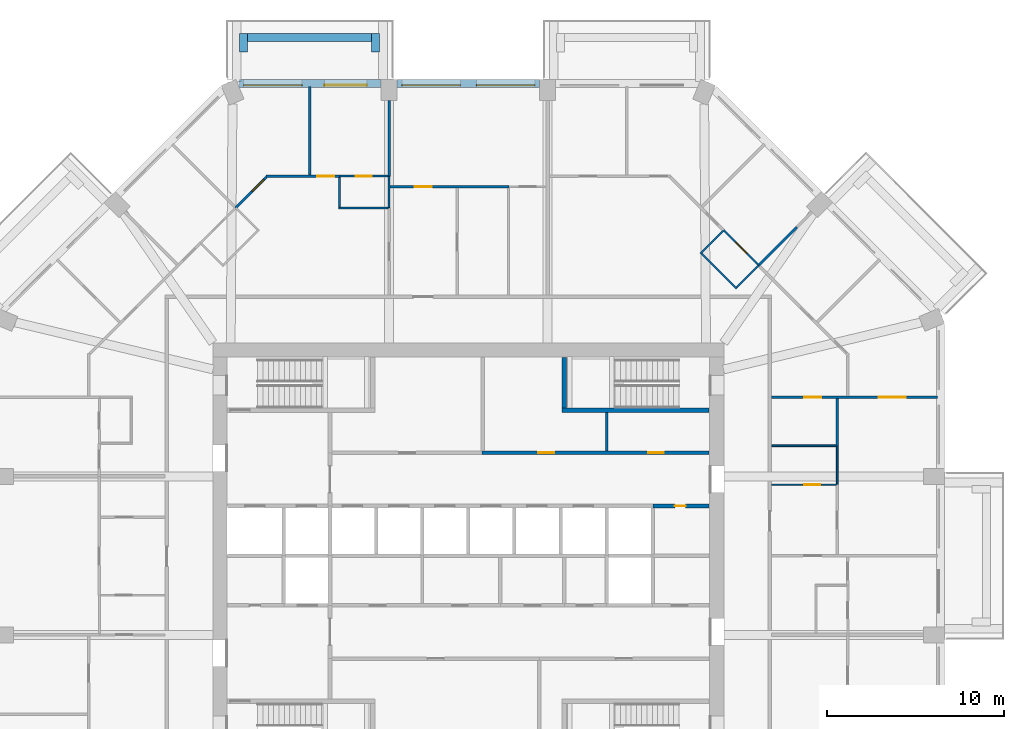
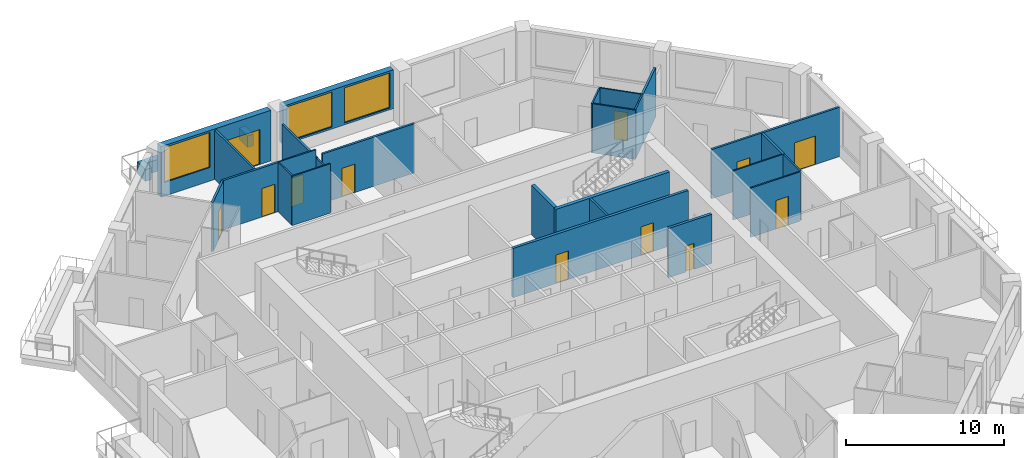
# One storey, part 9 of 13: 29 walls, 12 doors, 3 windows, 15 openings.
"""IFC4 building model written with IfcOpenShell, lengths in metres."""

from ifc_helpers import new_model, si_unit, direction, frame, frame_2d, origin, place, context, subcontext, project, spatial, rectangle, extrude, material, layer, layer_set, type_object, element, fill, save


model = new_model("IFC4")

# Units and contexts
model_context = context("Model", 3, precision=1e-05, world=origin(), true_north=direction((0.0, 1.0)))
body_context = subcontext(model_context, "Body", "Model", "MODEL_VIEW")
ifc_project = project(units=[si_unit("LENGTHUNIT", "METRE"), si_unit("AREAUNIT", "SQUARE_METRE"), si_unit("VOLUMEUNIT", "CUBIC_METRE"), si_unit("PLANEANGLEUNIT", "RADIAN"), si_unit("MASSUNIT", "GRAM", prefix="KILO")], contexts=[model_context])

# Site, building, storey
site_placement = place(None, origin())
site = spatial("IfcSite", under=ifc_project, at=site_placement, CompositionType="ELEMENT")
building_placement = place(site_placement, origin())
building = spatial("IfcBuilding", under=site, at=building_placement, Name="Msitu Wima Residences", CompositionType="ELEMENT")
storey_placement = place(building_placement, frame((0.0, 0.0, 144.300048828125)))
storey = spatial("IfcBuildingStorey", under=building, at=storey_placement, Name="L33", CompositionType="ELEMENT", Elevation=144.300048828125)

# Walls
ifc_material_1 = material(Name="Facing brick")
ifc_layer_1 = layer(ifc_material_1, 0.06494140625, Name="Facing brick")
ifc_material_2 = material(Name="Concrete C40/50", Category="concrete")
ifc_layer_2 = layer(ifc_material_2, 0.156005859375, Name="Concrete C40/50")
ifc_material_3 = material(Name="Waterproofing membrane")
ifc_layer_3 = layer(ifc_material_3, 0.00390625, Name="Waterproofing membrane")
ifc_material_4 = material(Name="Planting soil and planting")
ifc_layer_4 = layer(ifc_material_4, 0.22509765625, Name="Planting soil and planting")
ifc_layer_set_1 = layer_set([ifc_layer_1, ifc_layer_2, ifc_layer_3, ifc_layer_4], Name="Concrete C40/50")
wall_type_1 = type_object("IfcWallType", Name="Balcony planter PLANTER PL450", PredefinedType="USERDEFINED", material=ifc_layer_set_1)
wall_1_placement = place(storey_placement, frame((-5.468505859375, 29.22509765625, 0.0), z_axis=(0.0, 0.0, 1.0), x_axis=(-1.0, 0.0, 0.0)))
element("IfcWall", 1, at=wall_1_placement, inside=storey, type_object=wall_type_1, Name="Balcony planter N2 L33", ObjectType="PLANTER", PredefinedType="USERDEFINED", context=body_context, shape_type="SweptSolid", body=[
    extrude(rectangle(XDim=6.9873046875, YDim=0.449951171875, at=frame_2d((3.49365234375, 0.0))), origin(), (0.0, 0.0, 1.0), 0.89990234375),
])
for number, where, z_axis, x_axis, name in (
    (2, (-5.24365234375, 28.39990234375, 0.0), (0.0, 0.0, 1.0), (0.0, 1.0, 0.0), "Balcony planter N2 L33"),
    (3, (-12.680908203125, 28.39990234375, 0.0), (0.0, 0.0, 1.0), (0.0, 1.0, 0.0), "Balcony planter N2 L33"),
):
    element("IfcWall", number, at=place(storey_placement, frame(where, z_axis=z_axis, x_axis=x_axis)), inside=storey, type_object=wall_type_1, Name=name, ObjectType="PLANTER", PredefinedType="USERDEFINED", context=body_context, shape_type="SweptSolid", body=[
        extrude(rectangle(XDim=1.050048828125, YDim=0.449951171875, at=frame_2d((0.52490234375, 0.0))), origin(), (0.0, 0.0, 1.0), 0.89990234375),
    ])

# Wall, openings, windows
ifc_material_5 = material(Name="Brick (red buff mix)", Category="masonry")
ifc_layer_5 = layer(ifc_material_5, 0.449951171875)
ifc_layer_set_2 = layer_set([ifc_layer_5], Name="Brick (red buff mix)")
wall_type_2 = type_object("IfcWallType", Name="Brick infill wall BW450", PredefinedType="SOLIDWALL", material=ifc_layer_set_2)
wall_2_placement = place(storey_placement, frame((4.0185546875, 26.625, 0.89990234375), z_axis=(0.0, 0.0, 1.0), x_axis=(-1.0, 0.0, 0.0)))
wall_2 = element("IfcWall", 4, at=wall_2_placement, inside=storey, type_object=wall_type_2, Name="Brick infill wall L33 N1", PredefinedType="SOLIDWALL", context=body_context, shape_type="SweptSolid", body=[
    extrude(rectangle(XDim=8.037109375, YDim=0.449951171875, at=frame_2d((4.0185546875, 0.0))), origin(), (0.0, 0.0, 1.0), 3.0),
])
opening_1_placement = place(wall_2_placement, frame((0.2685546875, 0.0, 0.14990234375)))
opening_1 = element("IfcOpeningElement", 5, at=opening_1_placement, cuts=wall_2, Name="Opening W33.007", PredefinedType="OPENING", context=body_context, shape_type="SweptSolid", body=[
    extrude(rectangle(XDim=3.300048828125, YDim=2.699951171875, at=frame_2d((1.64990234375, 1.35009765625))), frame((0.0, 0.23486328125, 0.0), z_axis=(0.0, -1.0, 0.0), x_axis=(1.0, 0.0, 0.0)), (0.0, 0.0, 1.0), 0.469970703125),
])
opening_2_placement = place(wall_2_placement, frame((4.46875, 0.0, 0.14990234375)))
opening_2 = element("IfcOpeningElement", 6, at=opening_2_placement, cuts=wall_2, Name="Opening W33.008", PredefinedType="OPENING", context=body_context, shape_type="SweptSolid", body=[
    extrude(rectangle(XDim=3.300048828125, YDim=2.699951171875, at=frame_2d((1.64990234375, 1.35009765625))), frame((0.0, 0.23486328125, 0.0), z_axis=(0.0, -1.0, 0.0), x_axis=(1.0, 0.0, 0.0)), (0.0, 0.0, 1.0), 0.469970703125),
])
ifc_material_6 = material(Name="Anodised aluminium, bronze finish, clear low-emissivity double glazing", Category="aluminium")
window_type = type_object("IfcWindowType", Name="Window W3300x2700", PartitioningType="DOUBLE_PANEL_VERTICAL", PredefinedType="WINDOW", material=ifc_material_6)
window_1_placement = place(opening_1_placement, origin())
window_1 = element("IfcWindow", 7, at=window_1_placement, inside=storey, type_object=window_type, Name="Window L33 N1.1", OverallHeight=2.699951171875, OverallWidth=3.300048828125, PartitioningType="SINGLE_PANEL", PredefinedType="WINDOW", context=body_context, shape_type="SweptSolid", body=[
    extrude(rectangle(XDim=3.300048828125, YDim=2.699951171875, at=frame_2d((1.64990234375, 1.35009765625))), frame((0.0, 0.135009765625, 0.0), z_axis=(0.0, -1.0, 0.0), x_axis=(1.0, 0.0, 0.0)), (0.0, 0.0, 1.0), 0.06005859375),
])
fill(opening_1, window_1)
window_2_placement = place(opening_2_placement, origin())
window_2 = element("IfcWindow", 8, at=window_2_placement, inside=storey, type_object=window_type, Name="Window L33 N1.2", OverallHeight=2.699951171875, OverallWidth=3.300048828125, PartitioningType="SINGLE_PANEL", PredefinedType="WINDOW", context=body_context, shape_type="SweptSolid", body=[
    extrude(rectangle(XDim=3.300048828125, YDim=2.699951171875, at=frame_2d((1.64990234375, 1.35009765625))), frame((0.0, 0.135009765625, 0.0), z_axis=(0.0, -1.0, 0.0), x_axis=(1.0, 0.0, 0.0)), (0.0, 0.0, 1.0), 0.06005859375),
])
fill(opening_2, window_2)

# Wall, openings, door, window
wall_3_placement = place(storey_placement, frame((-4.918701171875, 26.625, 0.0), z_axis=(0.0, 0.0, 1.0), x_axis=(-1.0, 0.0, 0.0)))
wall_3 = element("IfcWall", 9, at=wall_3_placement, inside=storey, type_object=wall_type_2, Name="Brick infill wall L33 N2", PredefinedType="SOLIDWALL", context=body_context, shape_type="SweptSolid", body=[
    extrude(rectangle(XDim=8.0, YDim=0.449951171875, at=frame_2d((4.0, 0.0))), origin(), (0.0, 0.0, 1.0), 3.89990234375),
])
opening_3_placement = place(wall_3_placement, frame((0.800048828125, 0.0, 0.0)))
opening_3 = element("IfcOpeningElement", 10, at=opening_3_placement, cuts=wall_3, Name="Opening D33.003", PredefinedType="OPENING", context=body_context, shape_type="SweptSolid", body=[
    extrude(rectangle(XDim=2.39990234375, YDim=2.699951171875, at=frame_2d((1.199951171875, 1.35009765625))), frame((0.0, 0.23486328125, 0.0), z_axis=(0.0, -1.0, 0.0), x_axis=(1.0, 0.0, 0.0)), (0.0, 0.0, 1.0), 0.469970703125),
])
opening_4_placement = place(wall_3_placement, frame((4.4501953125, 0.0, 1.050048828125)))
opening_4 = element("IfcOpeningElement", 11, at=opening_4_placement, cuts=wall_3, Name="Opening W33.009", PredefinedType="OPENING", context=body_context, shape_type="SweptSolid", body=[
    extrude(rectangle(XDim=3.300048828125, YDim=2.699951171875, at=frame_2d((1.64990234375, 1.35009765625))), frame((0.0, 0.23486328125, 0.0), z_axis=(0.0, -1.0, 0.0), x_axis=(1.0, 0.0, 0.0)), (0.0, 0.0, 1.0), 0.469970703125),
])
door_type_1 = type_object("IfcDoorType", Name="Balcony door D2400x2700", OperationType="SLIDING_TO_LEFT", PredefinedType="DOOR", material=ifc_material_6)
door_1_placement = place(opening_3_placement, origin())
door_1 = element("IfcDoor", 12, at=door_1_placement, inside=storey, type_object=door_type_1, Name="Balcony door L33 N2", OperationType="SINGLE_SWING_LEFT", OverallHeight=2.699951171875, OverallWidth=2.39990234375, PredefinedType="DOOR", context=body_context, shape_type="SweptSolid", body=[
    extrude(rectangle(XDim=2.39990234375, YDim=2.699951171875, at=frame_2d((1.199951171875, 1.35009765625))), frame((0.0, 0.1298828125, 0.0), z_axis=(0.0, -1.0, 0.0), x_axis=(1.0, 0.0, 0.0)), (0.0, 0.0, 1.0), 0.050048828125),
])
fill(opening_3, door_1)
window_3_placement = place(opening_4_placement, origin())
window_3 = element("IfcWindow", 13, at=window_3_placement, inside=storey, type_object=window_type, Name="Window L33 N2.2", OverallHeight=2.699951171875, OverallWidth=3.300048828125, PartitioningType="SINGLE_PANEL", PredefinedType="WINDOW", context=body_context, shape_type="SweptSolid", body=[
    extrude(rectangle(XDim=3.300048828125, YDim=2.699951171875, at=frame_2d((1.64990234375, 1.35009765625))), frame((0.0, 0.135009765625, 0.0), z_axis=(0.0, -1.0, 0.0), x_axis=(1.0, 0.0, 0.0)), (0.0, 0.0, 1.0), 0.06005859375),
])
fill(opening_4, window_3)

# Wall, openings, doors
ifc_material_7 = material(Name="Plaster")
ifc_layer_6 = layer(ifc_material_7, 0.011962890625, Name="Plaster")
ifc_material_8 = material(Name="Concrete blockwork", Category="masonry")
ifc_layer_7 = layer(ifc_material_8, 0.176025390625, Name="Concrete blockwork")
ifc_layer_8 = layer(ifc_material_7, 0.011962890625, Name="Plaster")
ifc_layer_set_3 = layer_set([ifc_layer_6, ifc_layer_7, ifc_layer_8], Name="Concrete blockwork")
wall_type_3 = type_object("IfcWallType", Name="Corridor wall FW200", PredefinedType="PARTITIONING", material=ifc_layer_set_3)
wall_4_placement = place(storey_placement, frame((0.780029296875, 5.800048828125, 0.0), z_axis=(0.0, 0.0, 1.0), x_axis=(1.0, 0.0, 0.0)))
wall_4 = element("IfcWall", 14, at=wall_4_placement, inside=storey, type_object=wall_type_3, Name="Corridor wall", PredefinedType="PARTITIONING", context=body_context, shape_type="SweptSolid", body=[
    extrude(rectangle(XDim=12.7900390625, YDim=0.199951171875, at=frame_2d((6.39501953125, 0.0))), origin(), (0.0, 0.0, 1.0), 3.7978515625),
])
opening_5_placement = place(wall_4_placement, frame((3.14990234375, 0.0, 0.0)))
opening_5 = element("IfcOpeningElement", 15, at=opening_5_placement, cuts=wall_4, Name="Opening D33.021", PredefinedType="OPENING", context=body_context, shape_type="SweptSolid", body=[
    extrude(rectangle(XDim=0.89990234375, YDim=2.199951171875, at=frame_2d((0.449951171875, 1.10009765625))), frame((0.0, 0.10986328125, 0.0), z_axis=(0.0, -1.0, 0.0), x_axis=(1.0, 0.0, 0.0)), (0.0, 0.0, 1.0), 0.219970703125),
])
opening_6_placement = place(wall_4_placement, frame((9.35009765625, 0.0, 0.0)))
opening_6 = element("IfcOpeningElement", 16, at=opening_6_placement, cuts=wall_4, Name="Opening D33.022", PredefinedType="OPENING", context=body_context, shape_type="SweptSolid", body=[
    extrude(rectangle(XDim=0.89990234375, YDim=2.199951171875, at=frame_2d((0.449951171875, 1.10009765625))), frame((0.0, 0.10986328125, 0.0), z_axis=(0.0, -1.0, 0.0), x_axis=(1.0, 0.0, 0.0)), (0.0, 0.0, 1.0), 0.219970703125),
])
ifc_material_9 = material(Name="Timber flush door", Category="wood")
door_type_2 = type_object("IfcDoorType", Name="Service door D05 900x2200", OperationType="SINGLE_SWING_LEFT", PredefinedType="DOOR", material=ifc_material_9)
door_2_placement = place(opening_5_placement, origin())
door_2 = element("IfcDoor", 17, at=door_2_placement, inside=storey, type_object=door_type_2, Name="Service door", OperationType="SINGLE_SWING_RIGHT", OverallHeight=2.199951171875, OverallWidth=0.89990234375, PredefinedType="DOOR", context=body_context, shape_type="SweptSolid", body=[
    extrude(rectangle(XDim=0.89990234375, YDim=2.199951171875, at=frame_2d((0.449951171875, 1.10009765625))), frame((0.0, 0.02490234375, 0.0), z_axis=(0.0, -1.0, 0.0), x_axis=(1.0, 0.0, 0.0)), (0.0, 0.0, 1.0), 0.050048828125),
])
fill(opening_5, door_2)
door_3_placement = place(opening_6_placement, origin())
door_3 = element("IfcDoor", 18, at=door_3_placement, inside=storey, type_object=door_type_2, Name="Service door", OperationType="SINGLE_SWING_LEFT", OverallHeight=2.199951171875, OverallWidth=0.89990234375, PredefinedType="DOOR", context=body_context, shape_type="SweptSolid", body=[
    extrude(rectangle(XDim=0.89990234375, YDim=2.199951171875, at=frame_2d((0.449951171875, 1.10009765625))), frame((0.0, 0.02490234375, 0.0), z_axis=(0.0, -1.0, 0.0), x_axis=(1.0, 0.0, 0.0)), (0.0, 0.0, 1.0), 0.050048828125),
])
fill(opening_6, door_3)

# Wall, opening, door
ifc_layer_9 = layer(ifc_material_7, 0.011962890625, Name="Plaster")
ifc_layer_10 = layer(ifc_material_8, 0.1259765625, Name="Concrete blockwork")
ifc_layer_11 = layer(ifc_material_7, 0.011962890625, Name="Plaster")
ifc_layer_set_4 = layer_set([ifc_layer_9, ifc_layer_10, ifc_layer_11], Name="Concrete blockwork")
wall_type_4 = type_object("IfcWallType", Name="Partition PW150", PredefinedType="PARTITIONING", material=ifc_layer_set_4)
wall_5_placement = place(storey_placement, frame((-13.118896484375, 19.615966796875, 0.0), z_axis=(0.0, 0.0, 1.0), x_axis=(0.707106781187, 0.707106781187, 0.0)))
wall_5 = element("IfcWall", 19, at=wall_5_placement, inside=storey, type_object=wall_type_4, Name="Partition", PredefinedType="PARTITIONING", context=body_context, shape_type="SweptSolid", body=[
    extrude(rectangle(XDim=2.447998046875, YDim=0.14990234375, at=frame_2d((1.22412109375, 0.0))), origin(), (0.0, 0.0, 1.0), 3.7978515625),
])
opening_7_placement = place(wall_5_placement, frame((1.300048828125, 0.0, 0.0)))
opening_7 = element("IfcOpeningElement", 20, at=opening_7_placement, cuts=wall_5, Name="Opening D33.056", PredefinedType="OPENING", context=body_context, shape_type="SweptSolid", body=[
    extrude(rectangle(XDim=0.949951171875, YDim=2.199951171875, at=frame_2d((0.47509765625, 1.10009765625))), frame((0.0, 0.0849609375, 0.0), z_axis=(0.0, -1.0, 0.0), x_axis=(1.0, 0.0, 0.0)), (0.0, 0.0, 1.0), 0.169921875),
])
door_type_3 = type_object("IfcDoorType", Name="Room door D12 950x2200", OperationType="SINGLE_SWING_LEFT", PredefinedType="DOOR", material=ifc_material_9)
door_4_placement = place(opening_7_placement, origin())
door_4 = element("IfcDoor", 21, at=door_4_placement, inside=storey, type_object=door_type_3, Name="Room door", OperationType="SINGLE_SWING_LEFT", OverallHeight=2.199951171875, OverallWidth=0.949951171875, PredefinedType="DOOR", context=body_context, shape_type="SweptSolid", body=[
    extrude(rectangle(XDim=0.949951171875, YDim=2.199951171875, at=frame_2d((0.47509765625, 1.10009765625))), frame((0.0, 0.02490234375, 0.0), z_axis=(0.0, -1.0, 0.0), x_axis=(1.0, 0.0, 0.0)), (0.0, 0.0, 1.0), 0.050048828125),
])
fill(opening_7, door_4)

wall_6_placement = place(storey_placement, frame((-11.409912109375, 21.39990234375, 0.0), z_axis=(0.0, 0.0, 1.0), x_axis=(1.0, 0.0, 0.0)))
wall_6 = element("IfcWall", 22, at=wall_6_placement, inside=storey, type_object=wall_type_4, Name="Partition", PredefinedType="PARTITIONING", context=body_context, shape_type="SweptSolid", body=[
    extrude(rectangle(XDim=4.161376953125, YDim=0.14990234375, at=frame_2d((2.08056640625, 0.0))), origin(), (0.0, 0.0, 1.0), 3.7978515625),
])
opening_8_placement = place(wall_6_placement, frame((2.89990234375, 0.0, 0.0)))
opening_8 = element("IfcOpeningElement", 23, at=opening_8_placement, cuts=wall_6, Name="Opening D33.049", PredefinedType="OPENING", context=body_context, shape_type="SweptSolid", body=[
    extrude(rectangle(XDim=0.949951171875, YDim=2.199951171875, at=frame_2d((0.47509765625, 1.10009765625))), frame((0.0, 0.0849609375, 0.0), z_axis=(0.0, -1.0, 0.0), x_axis=(1.0, 0.0, 0.0)), (0.0, 0.0, 1.0), 0.169921875),
])
door_5_placement = place(opening_8_placement, origin())
door_5 = element("IfcDoor", 24, at=door_5_placement, inside=storey, type_object=door_type_3, Name="Room door", OperationType="SINGLE_SWING_LEFT", OverallHeight=2.199951171875, OverallWidth=0.949951171875, PredefinedType="DOOR", context=body_context, shape_type="SweptSolid", body=[
    extrude(rectangle(XDim=0.949951171875, YDim=2.199951171875, at=frame_2d((0.47509765625, 1.10009765625))), frame((0.0, 0.02490234375, 0.0), z_axis=(0.0, -1.0, 0.0), x_axis=(1.0, 0.0, 0.0)), (0.0, 0.0, 1.0), 0.050048828125),
])
fill(opening_8, door_5)

# Wall
wall_7_placement = place(storey_placement, frame((-8.937255859375, 21.47509765625, 0.0), z_axis=(0.0, 0.0, 1.0), x_axis=(0.0, 1.0, 0.0)))
element("IfcWall", 25, at=wall_7_placement, inside=storey, type_object=wall_type_4, Name="Partition", PredefinedType="PARTITIONING", context=body_context, shape_type="SweptSolid", body=[
    extrude(rectangle(XDim=4.97998046875, YDim=0.14990234375, at=frame_2d((2.489990234375, 0.0))), origin(), (0.0, 0.0, 1.0), 3.7978515625),
])

# Wall, opening, door
wall_8_placement = place(storey_placement, frame((-4.418701171875, 20.800048828125, 0.0), z_axis=(0.0, 0.0, 1.0), x_axis=(1.0, 0.0, 0.0)))
wall_8 = element("IfcWall", 26, at=wall_8_placement, inside=storey, type_object=wall_type_4, Name="Partition", PredefinedType="PARTITIONING", context=body_context, shape_type="SweptSolid", body=[
    extrude(rectangle(XDim=6.707275390625, YDim=0.14990234375, at=frame_2d((3.353515625, 0.0))), origin(), (0.0, 0.0, 1.0), 3.7978515625),
])
opening_9_placement = place(wall_8_placement, frame((1.39990234375, 0.0, 0.0)))
opening_9 = element("IfcOpeningElement", 27, at=opening_9_placement, cuts=wall_8, Name="Opening D33.046", PredefinedType="OPENING", context=body_context, shape_type="SweptSolid", body=[
    extrude(rectangle(XDim=0.949951171875, YDim=2.199951171875, at=frame_2d((0.47509765625, 1.10009765625))), frame((0.0, 0.0849609375, 0.0), z_axis=(0.0, -1.0, 0.0), x_axis=(1.0, 0.0, 0.0)), (0.0, 0.0, 1.0), 0.169921875),
])
door_6_placement = place(opening_9_placement, origin())
door_6 = element("IfcDoor", 28, at=door_6_placement, inside=storey, type_object=door_type_3, Name="Room door", OperationType="SINGLE_SWING_LEFT", OverallHeight=2.199951171875, OverallWidth=0.949951171875, PredefinedType="DOOR", context=body_context, shape_type="SweptSolid", body=[
    extrude(rectangle(XDim=0.949951171875, YDim=2.199951171875, at=frame_2d((0.47509765625, 1.10009765625))), frame((0.0, 0.02490234375, 0.0), z_axis=(0.0, -1.0, 0.0), x_axis=(1.0, 0.0, 0.0)), (0.0, 0.0, 1.0), 0.050048828125),
])
fill(opening_9, door_6)

# Walls
wall_9_placement = place(storey_placement, frame((-4.46875, 21.3798828125, 0.0), z_axis=(0.0, 0.0, 1.0), x_axis=(0.0, 1.0, 0.0)))
element("IfcWall", 29, at=wall_9_placement, inside=storey, type_object=wall_type_4, Name="Partition", PredefinedType="PARTITIONING", context=body_context, shape_type="SweptSolid", body=[
    extrude(rectangle(XDim=4.27001953125, YDim=0.14990234375, at=frame_2d((2.135009765625, 0.0))), origin(), (0.0, 0.0, 1.0), 3.14990234375),
])
wall_10_placement = place(storey_placement, frame((7.800048828125, 5.89990234375, 0.0), z_axis=(0.0, 0.0, 1.0), x_axis=(0.0, 1.0, 0.0)))
element("IfcWall", 30, at=wall_10_placement, inside=storey, type_object=wall_type_4, Name="Partition", PredefinedType="PARTITIONING", context=body_context, shape_type="SweptSolid", body=[
    extrude(rectangle(XDim=2.175048828125, YDim=0.14990234375, at=frame_2d((1.08740234375, 0.0))), origin(), (0.0, 0.0, 1.0), 3.7978515625),
])
wall_11_placement = place(storey_placement, frame((16.353271484375, 16.353271484375, 0.0), z_axis=(0.0, 0.0, 1.0), x_axis=(0.707106781187, 0.707106781187, 0.0)))
element("IfcWall", 31, at=wall_11_placement, inside=storey, type_object=wall_type_4, Name="Partition", PredefinedType="PARTITIONING", context=body_context, shape_type="SweptSolid", body=[
    extrude(rectangle(XDim=3.060791015625, YDim=0.14990234375, at=frame_2d((1.5302734375, 0.0))), origin(), (0.0, 0.0, 1.0), 3.7978515625),
])

# Wall, openings, doors
wall_12_placement = place(storey_placement, frame((17.10009765625, 8.937255859375, 0.0), z_axis=(0.0, 0.0, 1.0), x_axis=(1.0, 0.0, 0.0)))
wall_12 = element("IfcWall", 32, at=wall_12_placement, inside=storey, type_object=wall_type_4, Name="Partition", PredefinedType="PARTITIONING", context=body_context, shape_type="SweptSolid", body=[
    extrude(rectangle(XDim=9.35498046875, YDim=0.14990234375, at=frame_2d((4.677490234375, 0.0))), origin(), (0.0, 0.0, 1.0), 3.7978515625),
])
opening_10_placement = place(wall_12_placement, frame((6.050048828125, 0.0, 0.0)))
opening_10 = element("IfcOpeningElement", 33, at=opening_10_placement, cuts=wall_12, Name="Opening D33.086", PredefinedType="OPENING", context=body_context, shape_type="SweptSolid", body=[
    extrude(rectangle(XDim=1.5, YDim=2.199951171875, at=frame_2d((0.75, 1.10009765625))), frame((0.0, 0.0849609375, 0.0), z_axis=(0.0, -1.0, 0.0), x_axis=(1.0, 0.0, 0.0)), (0.0, 0.0, 1.0), 0.169921875),
])
opening_11_placement = place(wall_12_placement, frame((1.85009765625, 0.0, 0.0)))
opening_11 = element("IfcOpeningElement", 34, at=opening_11_placement, cuts=wall_12, Name="Opening D33.042", PredefinedType="OPENING", context=body_context, shape_type="SweptSolid", body=[
    extrude(rectangle(XDim=0.949951171875, YDim=2.199951171875, at=frame_2d((0.47509765625, 1.10009765625))), frame((0.0, 0.0849609375, 0.0), z_axis=(0.0, -1.0, 0.0), x_axis=(1.0, 0.0, 0.0)), (0.0, 0.0, 1.0), 0.169921875),
])
ifc_material_10 = material(Name="Timber double door", Category="wood")
door_type_4 = type_object("IfcDoorType", Name="Double door D04 1500x2200", OperationType="DOUBLE_DOOR_SINGLE_SWING", PredefinedType="DOOR", material=ifc_material_10)
door_7_placement = place(opening_10_placement, origin())
door_7 = element("IfcDoor", 35, at=door_7_placement, inside=storey, type_object=door_type_4, Name="Double door", OperationType="DOUBLE_DOOR_SINGLE_SWING", OverallHeight=2.199951171875, OverallWidth=1.5, PredefinedType="DOOR", context=body_context, shape_type="SweptSolid", body=[
    extrude(rectangle(XDim=1.5, YDim=2.199951171875, at=frame_2d((0.75, 1.10009765625))), frame((0.0, 0.02490234375, 0.0), z_axis=(0.0, -1.0, 0.0), x_axis=(1.0, 0.0, 0.0)), (0.0, 0.0, 1.0), 0.050048828125),
])
fill(opening_10, door_7)
door_8_placement = place(opening_11_placement, origin())
door_8 = element("IfcDoor", 36, at=door_8_placement, inside=storey, type_object=door_type_3, Name="Room door", OperationType="SINGLE_SWING_LEFT", OverallHeight=2.199951171875, OverallWidth=0.949951171875, PredefinedType="DOOR", context=body_context, shape_type="SweptSolid", body=[
    extrude(rectangle(XDim=0.949951171875, YDim=2.199951171875, at=frame_2d((0.47509765625, 1.10009765625))), frame((0.0, 0.02490234375, 0.0), z_axis=(0.0, -1.0, 0.0), x_axis=(1.0, 0.0, 0.0)), (0.0, 0.0, 1.0), 0.050048828125),
])
fill(opening_11, door_8)

# Wall
wall_13_placement = place(storey_placement, frame((20.800048828125, 6.179931640625, 0.0), z_axis=(0.0, 0.0, 1.0), x_axis=(0.0, 1.0, 0.0)))
element("IfcWall", 37, at=wall_13_placement, inside=storey, type_object=wall_type_4, Name="Partition", PredefinedType="PARTITIONING", context=body_context, shape_type="SweptSolid", body=[
    extrude(rectangle(XDim=2.682373046875, YDim=0.14990234375, at=frame_2d((1.34130859375, 0.0))), origin(), (0.0, 0.0, 1.0), 3.7978515625),
])

# Wall, opening, door
ifc_layer_12 = layer(ifc_material_7, 0.011962890625, Name="Plaster")
ifc_material_11 = material(Name="Reinforced concrete blockwork", Category="masonry")
ifc_layer_13 = layer(ifc_material_11, 0.176025390625, Name="Reinforced concrete blockwork")
ifc_layer_14 = layer(ifc_material_7, 0.011962890625, Name="Plaster")
ifc_layer_set_5 = layer_set([ifc_layer_12, ifc_layer_13, ifc_layer_14], Name="Reinforced concrete blockwork")
wall_type_5 = type_object("IfcWallType", Name="Plant and riser wall PL200", PredefinedType="PARTITIONING", material=ifc_layer_set_5)
wall_14_placement = place(storey_placement, frame((10.39990234375, 2.800048828125, 0.0), z_axis=(0.0, 0.0, 1.0), x_axis=(1.0, 0.0, 0.0)))
wall_14 = element("IfcWall", 38, at=wall_14_placement, inside=storey, type_object=wall_type_5, Name="Plant and riser wall", PredefinedType="PARTITIONING", context=body_context, shape_type="SweptSolid", body=[
    extrude(rectangle(XDim=3.170166015625, YDim=0.199951171875, at=frame_2d((1.5849609375, 0.0))), origin(), (0.0, 0.0, 1.0), 3.7978515625),
])
opening_12_placement = place(wall_14_placement, frame((1.25, 0.0, 0.0)))
opening_12 = element("IfcOpeningElement", 39, at=opening_12_placement, cuts=wall_14, Name="Opening D33.027", PredefinedType="OPENING", context=body_context, shape_type="SweptSolid", body=[
    extrude(rectangle(XDim=0.60009765625, YDim=2.0, at=frame_2d((0.300048828125, 1.0))), frame((0.0, 0.10986328125, 0.0), z_axis=(0.0, -1.0, 0.0), x_axis=(1.0, 0.0, 0.0)), (0.0, 0.0, 1.0), 0.219970703125),
])
ifc_material_12 = material(Name="Steel access door, fire resisting", Category="steel")
door_type_5 = type_object("IfcDoorType", Name="Riser access door D08 600x2000", OperationType="SINGLE_SWING_LEFT", PredefinedType="DOOR", material=ifc_material_12)
door_9_placement = place(opening_12_placement, origin())
door_9 = element("IfcDoor", 40, at=door_9_placement, inside=storey, type_object=door_type_5, Name="Riser access door", OperationType="SINGLE_SWING_RIGHT", OverallHeight=2.0, OverallWidth=0.60009765625, PredefinedType="DOOR", context=body_context, shape_type="SweptSolid", body=[
    extrude(rectangle(XDim=0.60009765625, YDim=2.0, at=frame_2d((0.300048828125, 1.0))), frame((0.0, 0.02490234375, 0.0), z_axis=(0.0, -1.0, 0.0), x_axis=(1.0, 0.0, 0.0)), (0.0, 0.0, 1.0), 0.050048828125),
])
fill(opening_12, door_9)

# Walls
ifc_material_13 = material(Name="Concrete C50/60", Category="concrete")
ifc_layer_15 = layer(ifc_material_13, 0.25)
ifc_layer_set_6 = layer_set([ifc_layer_15], Name="Concrete C50/60")
wall_type_6 = type_object("IfcWallType", Name="Stair enclosure wall SW250", PredefinedType="SHEAR", material=ifc_layer_set_6)
wall_15_placement = place(storey_placement, frame((5.39990234375, 8.324951171875, 0.0), z_axis=(0.0, 0.0, 1.0), x_axis=(0.0, 1.0, 0.0)))
element("IfcWall", 41, at=wall_15_placement, inside=storey, type_object=wall_type_6, Name="Stair enclosure wall", PredefinedType="SHEAR", context=body_context, shape_type="SweptSolid", body=[
    extrude(rectangle(XDim=2.844970703125, YDim=0.25, at=frame_2d((1.42236328125, 0.0))), origin(), (0.0, 0.0, 1.0), 3.7978515625),
])
wall_16_placement = place(storey_placement, frame((5.27490234375, 8.199951171875, 0.0), z_axis=(0.0, 0.0, 1.0), x_axis=(1.0, 0.0, 0.0)))
element("IfcWall", 42, at=wall_16_placement, inside=storey, type_object=wall_type_6, Name="Stair enclosure wall", PredefinedType="SHEAR", context=body_context, shape_type="SweptSolid", body=[
    extrude(rectangle(XDim=8.295166015625, YDim=0.25, at=frame_2d((4.1474609375, 0.0))), origin(), (0.0, 0.0, 1.0), 3.7978515625),
])

# Wall, opening, door
ifc_material_14 = material(Name="Ceramic tiles")
ifc_layer_16 = layer(ifc_material_14, 0.008056640625, Name="Ceramic tiles")
ifc_material_15 = material(Name="Moisture-resistant board")
ifc_layer_17 = layer(ifc_material_15, 0.012451171875, Name="Moisture-resistant board")
ifc_material_16 = material(Name="Light-gauge stud framing with mineral wool")
ifc_layer_18 = layer(ifc_material_16, 0.06689453125, Name="Light-gauge stud framing with mineral wool")
ifc_layer_19 = layer(ifc_material_15, 0.012451171875, Name="Moisture-resistant board")
ifc_layer_set_7 = layer_set([ifc_layer_16, ifc_layer_17, ifc_layer_18, ifc_layer_19], Name="Light-gauge stud framing with mineral wool")
wall_type_7 = type_object("IfcWallType", Name="Wet wall PW100", PredefinedType="PARTITIONING", material=ifc_layer_set_7)
wall_17_placement = place(storey_placement, frame((-7.24853515625, 21.39990234375, 0.0), z_axis=(0.0, 0.0, 1.0), x_axis=(1.0, 0.0, 0.0)))
wall_17 = element("IfcWall", 43, at=wall_17_placement, inside=storey, type_object=wall_type_7, Name="Wet wall", PredefinedType="PARTITIONING", context=body_context, shape_type="SweptSolid", body=[
    extrude(rectangle(XDim=2.704833984375, YDim=0.10009765625, at=frame_2d((1.3525390625, 0.0))), origin(), (0.0, 0.0, 1.0), 3.7978515625),
])
opening_13_placement = place(wall_17_placement, frame((0.89990234375, 0.0, 0.0)))
opening_13 = element("IfcOpeningElement", 44, at=opening_13_placement, cuts=wall_17, Name="Opening D33.051", PredefinedType="OPENING", context=body_context, shape_type="SweptSolid", body=[
    extrude(rectangle(XDim=0.89990234375, YDim=2.199951171875, at=frame_2d((0.449951171875, 1.10009765625))), frame((0.0, 0.06005859375, 0.0), z_axis=(0.0, -1.0, 0.0), x_axis=(1.0, 0.0, 0.0)), (0.0, 0.0, 1.0), 0.1201171875),
])
ifc_material_17 = material(Name="Timber flush door, moisture resistant", Category="wood")
door_type_6 = type_object("IfcDoorType", Name="Bathroom door D03 900x2200", OperationType="SINGLE_SWING_LEFT", PredefinedType="DOOR", material=ifc_material_17)
door_10_placement = place(opening_13_placement, origin())
door_10 = element("IfcDoor", 45, at=door_10_placement, inside=storey, type_object=door_type_6, Name="Bathroom door", OperationType="SINGLE_SWING_RIGHT", OverallHeight=2.199951171875, OverallWidth=0.89990234375, PredefinedType="DOOR", context=body_context, shape_type="SweptSolid", body=[
    extrude(rectangle(XDim=0.89990234375, YDim=2.199951171875, at=frame_2d((0.449951171875, 1.10009765625))), frame((0.0, 0.02490234375, 0.0), z_axis=(0.0, -1.0, 0.0), x_axis=(1.0, 0.0, 0.0)), (0.0, 0.0, 1.0), 0.050048828125),
])
fill(opening_13, door_10)

# Walls
wall_18_placement = place(storey_placement, frame((-7.2685546875, 19.64990234375, 0.0), z_axis=(0.0, 0.0, 1.0), x_axis=(0.0, 1.0, 0.0)))
element("IfcWall", 46, at=wall_18_placement, inside=storey, type_object=wall_type_7, Name="Wet wall", PredefinedType="PARTITIONING", context=body_context, shape_type="SweptSolid", body=[
    extrude(rectangle(XDim=1.675048828125, YDim=0.10009765625, at=frame_2d((0.83740234375, 0.0))), origin(), (0.0, 0.0, 1.0), 3.7978515625),
])
wall_19_placement = place(storey_placement, frame((-7.318603515625, 19.60009765625, 0.0), z_axis=(0.0, 0.0, 1.0), x_axis=(1.0, 0.0, 0.0)))
element("IfcWall", 47, at=wall_19_placement, inside=storey, type_object=wall_type_7, Name="Wet wall", PredefinedType="PARTITIONING", context=body_context, shape_type="SweptSolid", body=[
    extrude(rectangle(XDim=2.800048828125, YDim=0.10009765625, at=frame_2d((1.39990234375, 0.0))), origin(), (0.0, 0.0, 1.0), 3.7978515625),
])
wall_20_placement = place(storey_placement, frame((-4.46875, 19.6201171875, 0.0), z_axis=(0.0, 0.0, 1.0), x_axis=(0.0, 1.0, 0.0)))
element("IfcWall", 48, at=wall_20_placement, inside=storey, type_object=wall_type_7, Name="Wet wall", PredefinedType="PARTITIONING", context=body_context, shape_type="SweptSolid", body=[
    extrude(rectangle(XDim=1.759765625, YDim=0.10009765625, at=frame_2d((0.8798828125, 0.0))), origin(), (0.0, 0.0, 1.0), 3.14990234375),
])
wall_21_placement = place(storey_placement, frame((13.079345703125, 17.0390625, 0.0), z_axis=(0.0, 0.0, 1.0), x_axis=(0.707038962956, 0.707174592913, 0.0)))
element("IfcWall", 49, at=wall_21_placement, inside=storey, type_object=wall_type_7, Name="Wet wall", PredefinedType="PARTITIONING", context=body_context, shape_type="SweptSolid", body=[
    extrude(rectangle(XDim=1.800048828125, YDim=0.10009765625, at=frame_2d((0.89990234375, 0.0))), origin(), (0.0, 0.0, 1.0), 3.7978515625),
])
wall_22_placement = place(storey_placement, frame((13.150146484375, 17.0390625, 0.0), z_axis=(0.0, 0.0, 1.0), x_axis=(0.707106781187, -0.707106781187, 0.0)))
element("IfcWall", 50, at=wall_22_placement, inside=storey, type_object=wall_type_7, Name="Wet wall", PredefinedType="PARTITIONING", context=body_context, shape_type="SweptSolid", body=[
    extrude(rectangle(XDim=2.7998046875, YDim=0.10009765625, at=frame_2d((1.39990234375, 0.0))), origin(), (0.0, 0.0, 1.0), 3.7978515625),
])

# Wall, opening, door
wall_23_placement = place(storey_placement, frame((14.387451171875, 18.347412109375, 0.0), z_axis=(0.0, 0.0, 1.0), x_axis=(0.707106781187, -0.707106781187, 0.0)))
wall_23 = element("IfcWall", 51, at=wall_23_placement, inside=storey, type_object=wall_type_7, Name="Wet wall", PredefinedType="PARTITIONING", context=body_context, shape_type="SweptSolid", body=[
    extrude(rectangle(XDim=2.800048828125, YDim=0.10009765625, at=frame_2d((1.39990234375, 0.0))), origin(), (0.0, 0.0, 1.0), 3.7978515625),
])
opening_14_placement = place(wall_23_placement, frame((0.949951171875, 0.0, 0.0)))
opening_14 = element("IfcOpeningElement", 52, at=opening_14_placement, cuts=wall_23, Name="Opening D33.040", PredefinedType="OPENING", context=body_context, shape_type="SweptSolid", body=[
    extrude(rectangle(XDim=0.89990234375, YDim=2.199951171875, at=frame_2d((0.449951171875, 1.10009765625))), frame((0.0, 0.06005859375, 0.0), z_axis=(0.0, -1.0, 0.0), x_axis=(1.0, 0.0, 0.0)), (0.0, 0.0, 1.0), 0.1201171875),
])
door_11_placement = place(opening_14_placement, origin())
door_11 = element("IfcDoor", 53, at=door_11_placement, inside=storey, type_object=door_type_6, Name="Bathroom door", OperationType="SINGLE_SWING_LEFT", OverallHeight=2.199951171875, OverallWidth=0.89990234375, PredefinedType="DOOR", context=body_context, shape_type="SweptSolid", body=[
    extrude(rectangle(XDim=0.89990234375, YDim=2.199951171875, at=frame_2d((0.449951171875, 1.10009765625))), frame((0.0, 0.02490234375, 0.0), z_axis=(0.0, -1.0, 0.0), x_axis=(1.0, 0.0, 0.0)), (0.0, 0.0, 1.0), 0.050048828125),
])
fill(opening_14, door_11)

# Wall
wall_24_placement = place(storey_placement, frame((15.1298828125, 15.1298828125, 0.0), z_axis=(0.0, 0.0, 1.0), x_axis=(0.707106781187, 0.707106781187, 0.0)))
element("IfcWall", 54, at=wall_24_placement, inside=storey, type_object=wall_type_7, Name="Wet wall", PredefinedType="PARTITIONING", context=body_context, shape_type="SweptSolid", body=[
    extrude(rectangle(XDim=1.730224609375, YDim=0.10009765625, at=frame_2d((0.865234375, 0.0))), origin(), (0.0, 0.0, 1.0), 3.7978515625),
])

# Wall, opening, door
wall_25_placement = place(storey_placement, frame((17.10009765625, 4.0, 0.0), z_axis=(0.0, 0.0, 1.0), x_axis=(1.0, 0.0, 0.0)))
wall_25 = element("IfcWall", 55, at=wall_25_placement, inside=storey, type_object=wall_type_7, Name="Wet wall", PredefinedType="PARTITIONING", context=body_context, shape_type="SweptSolid", body=[
    extrude(rectangle(XDim=3.64990234375, YDim=0.10009765625, at=frame_2d((1.824951171875, 0.0))), origin(), (0.0, 0.0, 1.0), 3.7978515625),
])
opening_15_placement = place(wall_25_placement, frame((1.85009765625, 0.0, 0.0)))
opening_15 = element("IfcOpeningElement", 56, at=opening_15_placement, cuts=wall_25, Name="Opening D33.061", PredefinedType="OPENING", context=body_context, shape_type="SweptSolid", body=[
    extrude(rectangle(XDim=0.89990234375, YDim=2.199951171875, at=frame_2d((0.449951171875, 1.10009765625))), frame((0.0, 0.06005859375, 0.0), z_axis=(0.0, -1.0, 0.0), x_axis=(1.0, 0.0, 0.0)), (0.0, 0.0, 1.0), 0.1201171875),
])
door_12_placement = place(opening_15_placement, origin())
door_12 = element("IfcDoor", 57, at=door_12_placement, inside=storey, type_object=door_type_6, Name="Bathroom door", OperationType="SINGLE_SWING_RIGHT", OverallHeight=2.199951171875, OverallWidth=0.89990234375, PredefinedType="DOOR", context=body_context, shape_type="SweptSolid", body=[
    extrude(rectangle(XDim=0.89990234375, YDim=2.199951171875, at=frame_2d((0.449951171875, 1.10009765625))), frame((0.0, 0.02490234375, 0.0), z_axis=(0.0, -1.0, 0.0), x_axis=(1.0, 0.0, 0.0)), (0.0, 0.0, 1.0), 0.050048828125),
])
fill(opening_15, door_12)

# Walls
wall_26_placement = place(storey_placement, frame((17.10009765625, 6.199951171875, 0.0), z_axis=(0.0, 0.0, 1.0), x_axis=(1.0, 0.0, 0.0)))
element("IfcWall", 58, at=wall_26_placement, inside=storey, type_object=wall_type_7, Name="Wet wall", PredefinedType="PARTITIONING", context=body_context, shape_type="SweptSolid", body=[
    extrude(rectangle(XDim=3.625, YDim=0.10009765625, at=frame_2d((1.8125, 0.0))), origin(), (0.0, 0.0, 1.0), 3.7978515625),
])
wall_27_placement = place(storey_placement, frame((20.800048828125, 4.02001953125, 0.0), z_axis=(0.0, 0.0, 1.0), x_axis=(0.0, 1.0, 0.0)))
element("IfcWall", 59, at=wall_27_placement, inside=storey, type_object=wall_type_7, Name="Wet wall", PredefinedType="PARTITIONING", context=body_context, shape_type="SweptSolid", body=[
    extrude(rectangle(XDim=2.159912109375, YDim=0.10009765625, at=frame_2d((1.080078125, 0.0))), origin(), (0.0, 0.0, 1.0), 3.7978515625),
])

save(model, "model.ifc")
